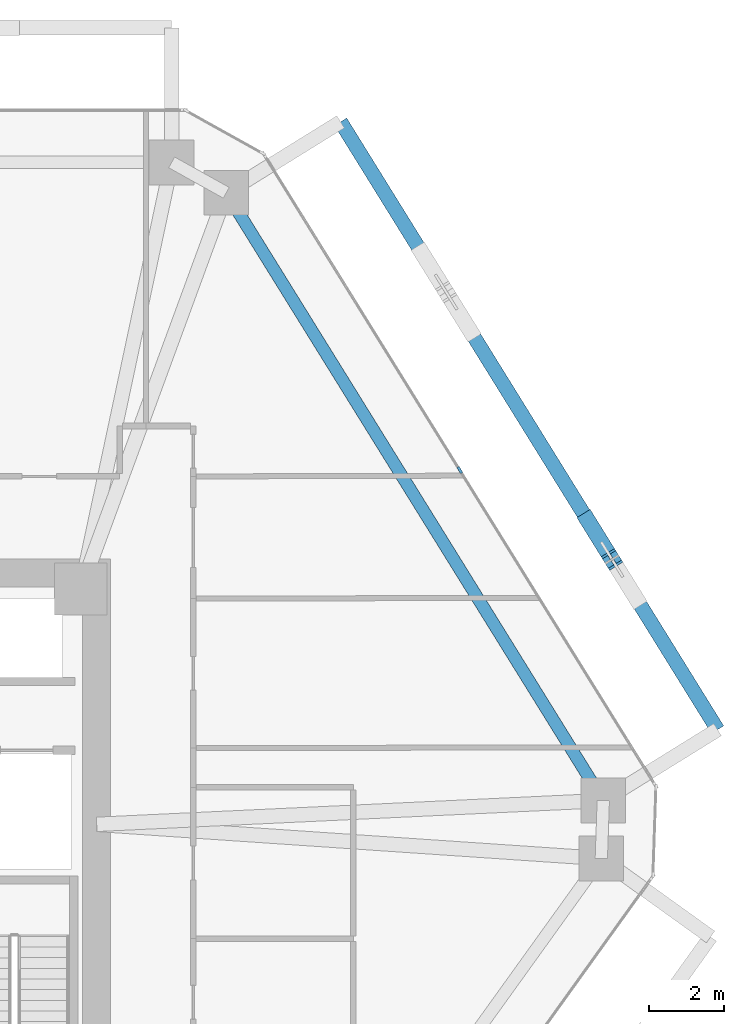
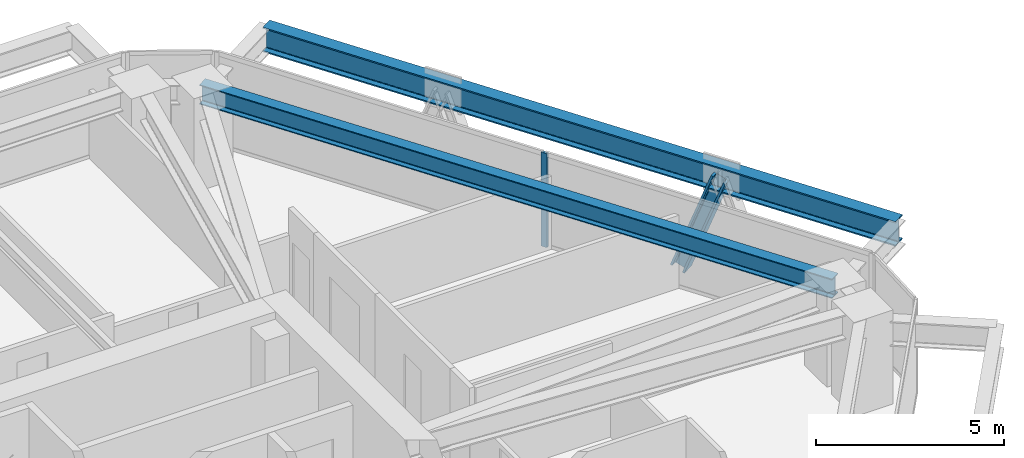
# One storey, part 6 of 16: 2 beams, 2 members, 1 element without a shape of its own.
"""IFC4 building model written with IfcOpenShell, lengths in metres."""

from ifc_helpers import new_model, si_unit, direction, frame, origin, origin_2d, place, context, subcontext, project, spatial, rectangle, i_section, extrude, source, transform, mapped, material, layer, layer_set, material_profile, profile_set, type_object, type_shapes, element, aggregate, save


model = new_model("IFC4")

# Units and contexts
model_context = context("Model", 3, precision=1e-05, world=origin(), true_north=direction((0.0, 1.0)))
body_context = subcontext(model_context, "Body", "Model", "MODEL_VIEW")
ifc_project = project(units=[si_unit("LENGTHUNIT", "METRE"), si_unit("AREAUNIT", "SQUARE_METRE"), si_unit("VOLUMEUNIT", "CUBIC_METRE"), si_unit("PLANEANGLEUNIT", "RADIAN"), si_unit("MASSUNIT", "GRAM", prefix="KILO")], contexts=[model_context])

# Site, building, storey
site_placement = place(None, origin())
site = spatial("IfcSite", under=ifc_project, at=site_placement, CompositionType="ELEMENT")
building_placement = place(site_placement, origin())
building = spatial("IfcBuilding", under=site, at=building_placement, Name="Durnholm Broadcast Tower", CompositionType="ELEMENT")
storey_placement = place(building_placement, frame((0.0, 0.0, 123.89990234375)))
storey = spatial("IfcBuildingStorey", under=building, at=storey_placement, Name="L33", CompositionType="ELEMENT", Elevation=123.89990234375)

# Beams
ifc_material_1 = material(Name="Steel ASTM A992 Grade 50", Category="steel")
ifc_material_profile_1 = material_profile(ifc_material_1, i_section(OverallWidth=0.3291015625, OverallDepth=0.635009765625, WebThickness=0.017822265625, FlangeThickness=0.031005859375, FilletRadius=0.02783203125, at=origin_2d()), Name="W24X162")
ifc_profile_set_1 = profile_set([ifc_material_profile_1], Name="Steel ASTM A992 Grade 50")
beam_type_1 = type_object("IfcBeamType", Name="STL-SP-W24X162", PredefinedType="SPANDREL", material=ifc_profile_set_1)
shared_shape_1 = source(origin(), body_context, "Body", "SweptSolid", [
    extrude(i_section(OverallWidth=0.3291015625, OverallDepth=0.635009765625, WebThickness=0.017822265625, FlangeThickness=0.031005859375, FilletRadius=0.02783203125, at=origin_2d()), origin(), (0.0, 0.0, 1.0), 19.139404296875),
])
type_shapes(beam_type_1, [shared_shape_1])
beam_1_placement = place(storey_placement, frame((13.692138671875, 18.4013671875, 2.7275390625), z_axis=(0.527111038734, -0.84979641847, 0.0), x_axis=(0.84979641847, 0.527111038734, 0.0)))
element("IfcBeam", 1, at=beam_1_placement, inside=storey, type_object=beam_type_1, Name="L33 perimeter spandrel girder 07", PredefinedType="SPANDREL", context=body_context, shape_type="MappedRepresentation", body=[
    mapped(shared_shape_1, transform((0.0, 0.0, 0.0), x_axis=(1.0, 0.0, 0.0), y_axis=(0.0, 1.0, 0.0), z_axis=(0.0, 0.0, 1.0), scale=1.0)),
])
ifc_material_profile_2 = material_profile(ifc_material_1, i_section(OverallWidth=0.385009765625, OverallDepth=0.802978515625, WebThickness=0.023681640625, FlangeThickness=0.0419921875, FilletRadius=0.032958984375, at=origin_2d()), Name="W30X261")
ifc_profile_set_2 = profile_set([ifc_material_profile_2], Name="Steel ASTM A992 Grade 50")
beam_type_2 = type_object("IfcBeamType", Name="BM-EXO-TIE", PredefinedType="USERDEFINED", material=ifc_profile_set_2)
shared_shape_2 = source(origin(), body_context, "Body", "SweptSolid", [
    extrude(i_section(OverallWidth=0.385009765625, OverallDepth=0.802978515625, WebThickness=0.023681640625, FlangeThickness=0.0419921875, FilletRadius=0.032958984375, at=origin_2d()), origin(), (0.0, 0.0, 1.0), 19.139404296875),
])
type_shapes(beam_type_2, [shared_shape_2])
beam_2_placement = place(storey_placement, frame((26.840087890625, 4.0341796875, 2.30859375), z_axis=(-0.527111038734, 0.84979641847, 0.0), x_axis=(-0.84979641847, -0.527111038734, 0.0)))
element("IfcBeam", 2, at=beam_2_placement, inside=storey, type_object=beam_type_2, Name="L33 exoskeleton collector spandrel F3", PredefinedType="SPANDREL", context=body_context, shape_type="MappedRepresentation", body=[
    mapped(shared_shape_2, transform((0.0, 0.0, 0.0), x_axis=(1.0, 0.0, 0.0), y_axis=(0.0, 1.0, 0.0), z_axis=(0.0, 0.0, 1.0), scale=1.0)),
])

# Member
ifc_material_2 = material(Name="Steel ASTM A913 Grade 65", Category="steel")
ifc_material_profile_3 = material_profile(ifc_material_2, i_section(OverallWidth=0.41845703125, OverallDepth=0.455078125, WebThickness=0.0419921875, FlangeThickness=0.067626953125, FilletRadius=0.030517578125, at=origin_2d()), Name="W14X370")
ifc_profile_set_3 = profile_set([ifc_material_profile_3], Name="Steel ASTM A913 Grade 65")
member_type_1 = type_object("IfcMemberType", Name="STL-DG-W14X370", PredefinedType="BRACE", material=ifc_profile_set_3)
shared_shape_3 = source(origin(), body_context, "Body", "SweptSolid", [
    extrude(i_section(OverallWidth=0.41845703125, OverallDepth=0.455078125, WebThickness=0.0419921875, FlangeThickness=0.067626953125, FilletRadius=0.030517578125, at=origin_2d()), origin(), (0.0, 0.0, 1.0), 3.52294921875),
])
type_shapes(member_type_1, [shared_shape_3])
member_1_placement = place(storey_placement, frame((23.36474609375, 9.63671875, -0.9912109375), z_axis=(0.184618626166, -0.297579722507, 0.936676182907), x_axis=(0.849750220063, 0.527185511469, 0.0)))
element("IfcMember", 3, at=member_1_placement, inside=storey, type_object=member_type_1, Name="L33 stand-off diagrid brace F3.D1.2", PredefinedType="BRACE", context=body_context, shape_type="MappedRepresentation", body=[
    mapped(shared_shape_3, transform((0.0, 0.0, 0.0), x_axis=(1.0, 0.0, 0.0), y_axis=(0.0, 1.0, 0.0), z_axis=(0.0, 0.0, 1.0), scale=1.0)),
])

# Curtain wall, member
ifc_material_3 = material(Name="Aluminium and Solar Control IGU", Category="aluminium")
ifc_layer = layer(ifc_material_3, 0.18994140625)
ifc_layer_set = layer_set([ifc_layer], Name="Aluminium and Solar Control IGU")
curtain_wall_type = type_object("IfcCurtainWallType", Name="CW-SYS-3", PredefinedType="NOTDEFINED", material=ifc_layer_set)
curtain_wall_placement = place(storey_placement, origin())
curtain_wall = element("IfcCurtainWall", 4, at=curtain_wall_placement, inside=storey, type_object=curtain_wall_type, Name="L33 curtain wall CW-Z12-VIS CW-L33-F06", PredefinedType="NOTDEFINED")
ifc_material_4 = material(Name="Aluminium 6063-T6", Category="aluminium")
ifc_material_profile_4 = material_profile(ifc_material_4, rectangle(XDim=0.070068359375, YDim=0.18994140625, at=origin_2d()), Name="CWM70X190")
ifc_profile_set_4 = profile_set([ifc_material_profile_4], Name="Aluminium 6063-T6")
member_type_2 = type_object("IfcMemberType", Name="CW-SYS-3-MUL", PredefinedType="MULLION", material=ifc_profile_set_4)
shared_shape_4 = source(origin(), body_context, "Body", "SweptSolid", [
    extrude(rectangle(XDim=0.070068359375, YDim=0.18994140625, at=origin_2d()), origin(), (0.0, 0.0, 1.0), 3.06005859375),
])
type_shapes(member_type_2, [shared_shape_4])
member_2_placement = place(storey_placement, frame((19.9423828125, 10.980712890625, 0.0), z_axis=(0.0, 0.0, 1.0), x_axis=(0.849799925229, 0.527105385176, 0.0)))
member_2 = element("IfcMember", 5, at=member_2_placement, type_object=member_type_2, Name="CW-Z12-VIS mullion 2", PredefinedType="MULLION", context=body_context, shape_type="MappedRepresentation", body=[
    mapped(shared_shape_4, transform((0.0, 0.0, 0.0), x_axis=(1.0, 0.0, 0.0), y_axis=(0.0, 1.0, 0.0), z_axis=(0.0, 0.0, 1.0), scale=1.0)),
])
aggregate(curtain_wall, [member_2])

save(model, "model.ifc")
